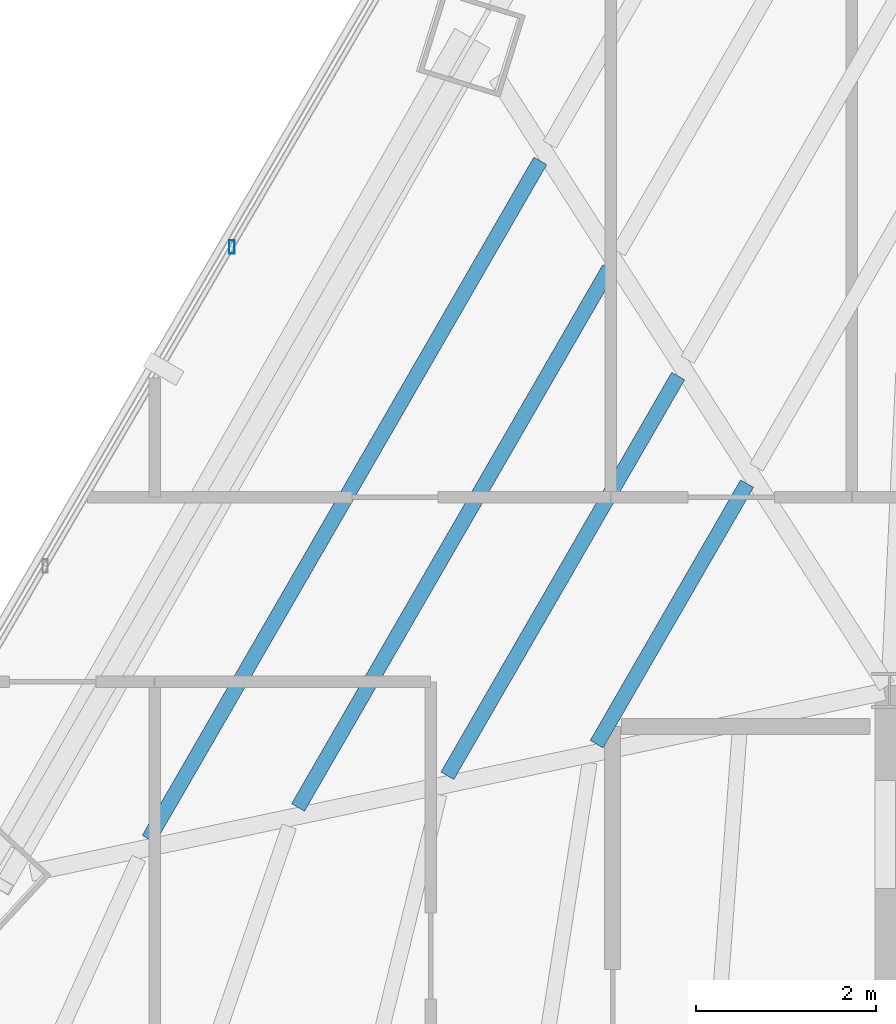
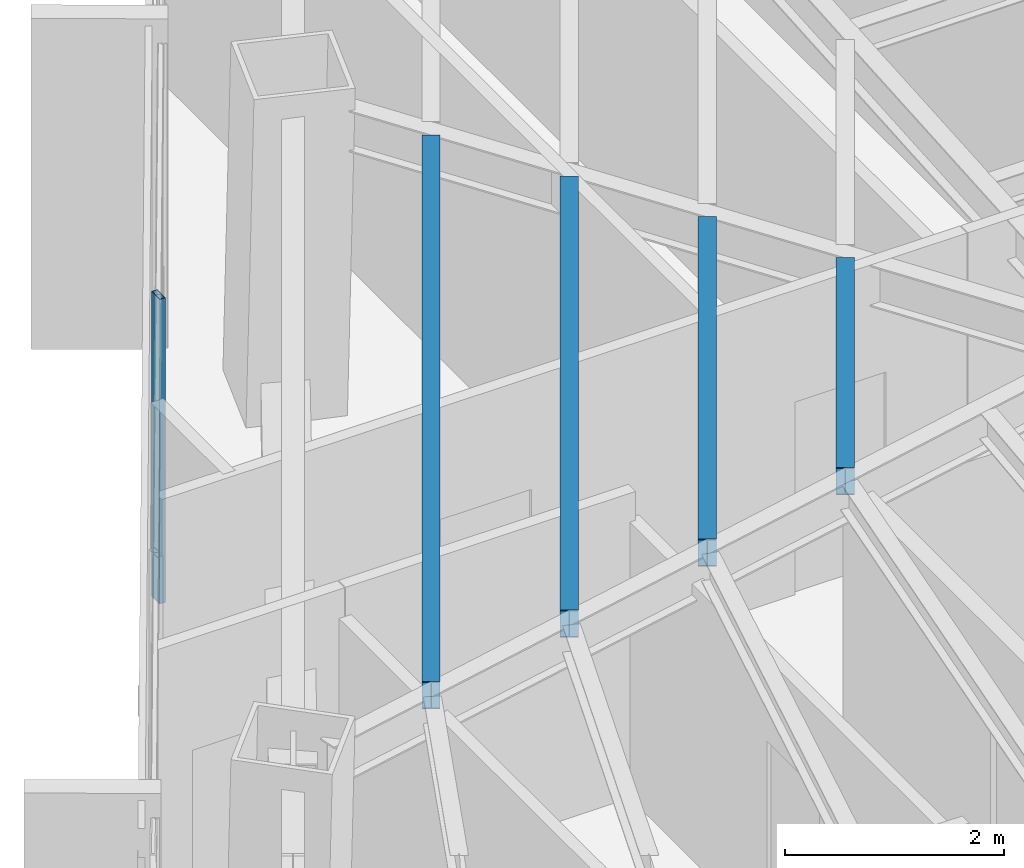
# One storey, part 15 of 42: 4 beams, 1 member, 1 element without a shape of its own.
"""IFC4 building model written with IfcOpenShell, lengths in metres."""

from ifc_helpers import new_model, si_unit, direction, frame, origin, origin_2d, place, context, subcontext, project, spatial, hollow_rectangle, i_section, extrude, source, transform, mapped, material, material_profile, profile_set, type_object, type_shapes, element, aggregate, save


model = new_model("IFC4")

# Units and contexts
model_context = context("Model", 3, precision=1e-05, world=origin(), true_north=direction((0.0, 1.0)))
body_context = subcontext(model_context, "Body", "Model", "MODEL_VIEW")
ifc_project = project(units=[si_unit("LENGTHUNIT", "METRE"), si_unit("AREAUNIT", "SQUARE_METRE"), si_unit("VOLUMEUNIT", "CUBIC_METRE"), si_unit("PLANEANGLEUNIT", "RADIAN"), si_unit("MASSUNIT", "GRAM", prefix="KILO")], contexts=[model_context])

# Site, building, storey
site_placement = place(None, origin())
site = spatial("IfcSite", under=ifc_project, at=site_placement, CompositionType="ELEMENT")
building_placement = place(site_placement, origin())
building = spatial("IfcBuilding", under=site, at=building_placement, Name="Caelisora Broadcast Tower", CompositionType="ELEMENT")
storey_placement = place(building_placement, frame((0.0, 0.0, 131.800048828125)))
storey = spatial("IfcBuildingStorey", under=building, at=storey_placement, Name="L34", CompositionType="ELEMENT", Elevation=131.800048828125)

# Beams
ifc_material_1 = material(Name="Steel Grade 350 (AS/NZS 3679.1)", Category="steel")
ifc_material_profile_1 = material_profile(ifc_material_1, i_section(OverallWidth=0.166015625, OverallDepth=0.30712890625, WebThickness=0.006591796875, FlangeThickness=0.01171875, at=origin_2d()), Name="Steel Grade 350 (AS/NZS 3679.1)")
ifc_profile_set_1 = profile_set([ifc_material_profile_1], Name="Steel Grade 350 (AS/NZS 3679.1)")
beam_type = type_object("IfcBeamType", Name="SB03", PredefinedType="JOIST", material=ifc_profile_set_1)
shared_shape_1 = source(origin(), body_context, "Body", "SweptSolid", [
    extrude(i_section(OverallWidth=0.166015625, OverallDepth=0.30712890625, WebThickness=0.006591796875, FlangeThickness=0.01171875, at=origin_2d()), origin(), (0.0, 0.0, 1.0), 3.3447265625),
])
beam_1_placement = place(storey_placement, frame((28.91552734375, 32.30126953125, 3.246337890625), z_axis=(-0.500017322015, -0.866015402684, 0.0), x_axis=(0.866015402684, -0.500017322015, 0.0)))
element("IfcBeam", 1, at=beam_1_placement, inside=storey, type_object=beam_type, Name="L34 beam SB03", PredefinedType="JOIST", context=body_context, shape_type="MappedRepresentation", body=[
    mapped(shared_shape_1, transform((0.0, 0.0, 0.0), scale=1.0)),
])
shared_shape_2 = source(origin(), body_context, "Body", "SweptSolid", [
    extrude(i_section(OverallWidth=0.166015625, OverallDepth=0.30712890625, WebThickness=0.006591796875, FlangeThickness=0.01171875, at=origin_2d()), origin(), (0.0, 0.0, 1.0), 5.131591796875),
])
beam_2_placement = place(storey_placement, frame((28.1494140625, 33.4970703125, 3.246337890625), z_axis=(-0.500017592688, -0.866015246403, 0.0), x_axis=(0.866015246403, -0.500017592688, 0.0)))
element("IfcBeam", 2, at=beam_2_placement, inside=storey, type_object=beam_type, Name="L34 beam SB03", PredefinedType="JOIST", context=body_context, shape_type="MappedRepresentation", body=[
    mapped(shared_shape_2, transform((0.0, 0.0, 0.0), scale=1.0)),
])
shared_shape_3 = source(origin(), body_context, "Body", "SweptSolid", [
    extrude(i_section(OverallWidth=0.166015625, OverallDepth=0.30712890625, WebThickness=0.006591796875, FlangeThickness=0.01171875, at=origin_2d()), origin(), (0.0, 0.0, 1.0), 6.919189453125),
])
beam_3_placement = place(storey_placement, frame((27.38330078125, 34.693115234375, 3.246337890625), z_axis=(-0.500013628309, -0.866017535334, 0.0), x_axis=(0.866017535334, -0.500013628309, 0.0)))
element("IfcBeam", 3, at=beam_3_placement, inside=storey, type_object=beam_type, Name="L34 beam SB03", PredefinedType="JOIST", context=body_context, shape_type="MappedRepresentation", body=[
    mapped(shared_shape_3, transform((0.0, 0.0, 0.0), scale=1.0)),
])
shared_shape_4 = source(origin(), body_context, "Body", "SweptSolid", [
    extrude(i_section(OverallWidth=0.166015625, OverallDepth=0.30712890625, WebThickness=0.006591796875, FlangeThickness=0.01171875, at=origin_2d()), origin(), (0.0, 0.0, 1.0), 8.706298828125),
])
type_shapes(beam_type, [shared_shape_1, shared_shape_2, shared_shape_3, shared_shape_4])
beam_4_placement = place(storey_placement, frame((26.6171875, 35.888916015625, 3.246337890625), z_axis=(-0.500014546016, -0.866017005475, 0.0), x_axis=(0.866017005475, -0.500014546016, 0.0)))
element("IfcBeam", 4, at=beam_4_placement, inside=storey, type_object=beam_type, Name="L34 beam SB03", PredefinedType="JOIST", context=body_context, shape_type="MappedRepresentation", body=[
    mapped(shared_shape_4, transform((0.0, 0.0, 0.0), scale=1.0)),
])

# Curtain wall, member
ifc_material_2 = material(Name="Unitised Aluminium Insulated Shadow-Box Spandrel Curtain Wall", Category="aluminium")
curtain_wall_type = type_object("IfcCurtainWallType", Name="CW-SP2", PredefinedType="NOTDEFINED", material=ifc_material_2)
curtain_wall_placement = place(storey_placement, origin())
curtain_wall = element("IfcCurtainWall", 5, at=curtain_wall_placement, inside=storey, type_object=curtain_wall_type, Name="L34 curtain wall CW-SP2", PredefinedType="NOTDEFINED")
ifc_material_3 = material(Name="Aluminium 6063-T6 Anodised Terracotta Bronze", Category="aluminium")
ifc_material_profile_2 = material_profile(ifc_material_3, hollow_rectangle(XDim=0.06005859375, YDim=0.14990234375, WallThickness=0.00341796875, at=origin_2d()), Name="Aluminium 6063-T6 Anodised Terracotta Bronze")
ifc_profile_set_2 = profile_set([ifc_material_profile_2], Name="Aluminium 6063-T6 Anodised Terracotta Bronze")
member_type = type_object("IfcMemberType", Name="CWM-03", PredefinedType="MULLION", material=ifc_profile_set_2)
shared_shape_5 = source(origin(), body_context, "Body", "SweptSolid", [
    extrude(hollow_rectangle(XDim=0.06005859375, YDim=0.14990234375, WallThickness=0.00341796875, at=origin_2d()), origin(), (0.0, 0.0, 1.0), 3.39990234375),
])
type_shapes(member_type, [shared_shape_5])
member_placement = place(storey_placement, frame((23.1875, 34.93212890625, 0.0), z_axis=(0.0, 0.0, 1.0), x_axis=(1.0, 0.0, 0.0)))
member = element("IfcMember", 6, at=member_placement, type_object=member_type, Name="L34-CW-B10 mullion #2", PredefinedType="MULLION", context=body_context, shape_type="MappedRepresentation", body=[
    mapped(shared_shape_5, transform((0.0, 0.0, 0.0), scale=1.0)),
])
aggregate(curtain_wall, [member])

save(model, "model.ifc")
